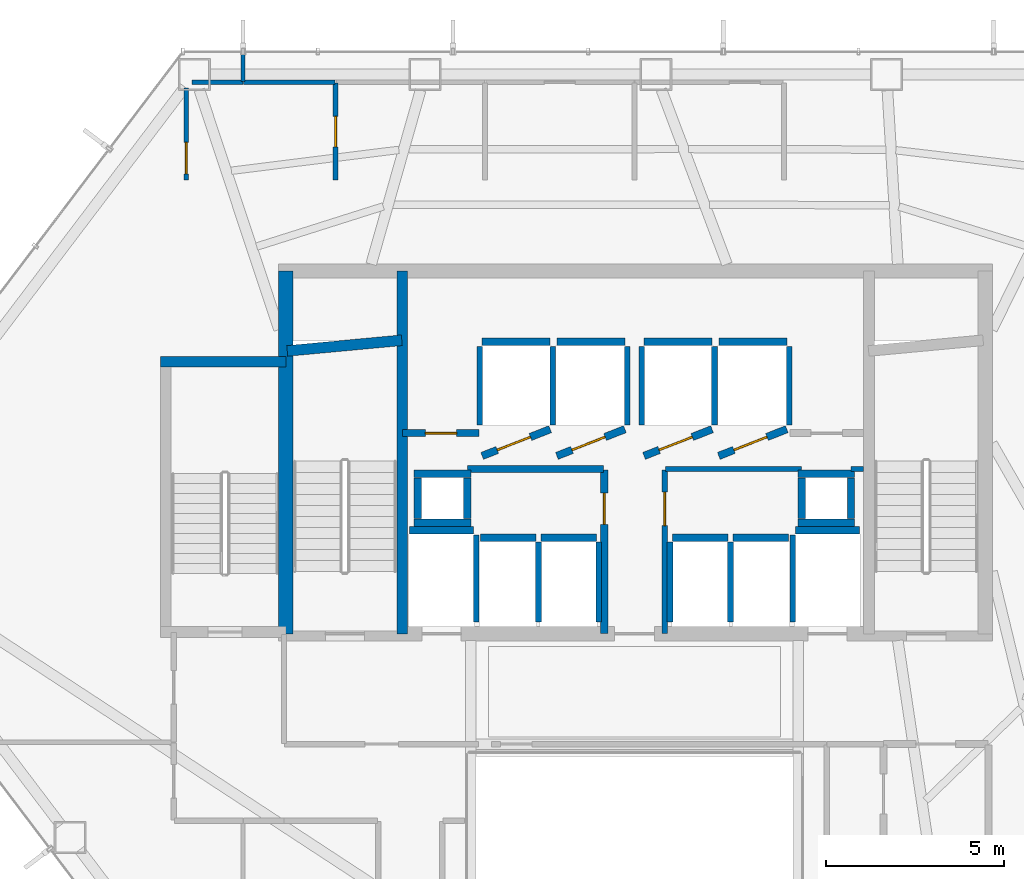
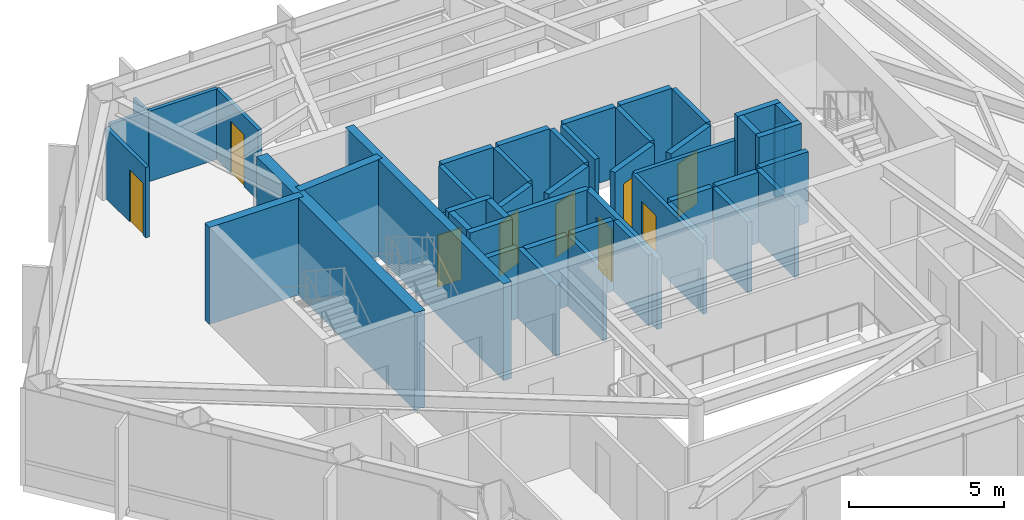
# One storey, part 23 of 25: 49 walls, 9 doors, 9 openings.
"""IFC4 building model written with IfcOpenShell, lengths in metres."""

from ifc_helpers import new_model, si_unit, direction, frame, frame_2d, origin, place, context, subcontext, project, spatial, rectangle, extrude, material, layer, layer_set, type_object, element, fill, save


model = new_model("IFC4")

# Units and contexts
model_context = context("Model", 3, precision=1e-05, world=origin(), true_north=direction((0.0, 1.0)))
body_context = subcontext(model_context, "Body", "Model", "MODEL_VIEW")
ifc_project = project(units=[si_unit("LENGTHUNIT", "METRE"), si_unit("AREAUNIT", "SQUARE_METRE"), si_unit("VOLUMEUNIT", "CUBIC_METRE"), si_unit("PLANEANGLEUNIT", "RADIAN"), si_unit("MASSUNIT", "GRAM", prefix="KILO")], contexts=[model_context])

# Site, building, storey
site_placement = place(None, origin())
site = spatial("IfcSite", under=ifc_project, at=site_placement, CompositionType="ELEMENT")
building_placement = place(site_placement, origin())
building = spatial("IfcBuilding", under=site, at=building_placement, Name="Zarrinselat Tower", CompositionType="ELEMENT")
storey_placement = place(building_placement, frame((0.0, 0.0, 84.659912109375)))
storey = spatial("IfcBuildingStorey", under=building, at=storey_placement, Name="L20", CompositionType="ELEMENT", Elevation=84.659912109375)

# Walls
ifc_material_1 = material(Name="Fire-Rated Gypsum Board Partition", Category="gypsum")
ifc_layer_1 = layer(ifc_material_1, 0.14990234375)
ifc_layer_set_1 = layer_set([ifc_layer_1], Name="Fire-Rated Gypsum Board Partition")
wall_type_1 = type_object("IfcWallType", Name="WAL-PART-EI60", PredefinedType="PARTITIONING", material=ifc_layer_set_1)
wall_1_placement = place(storey_placement, frame((39.27001953125, 37.8798828125, 0.0), z_axis=(0.0, 0.0, 1.0), x_axis=(1.0, 0.0, 0.0)))
element("IfcWall", 1, at=wall_1_placement, inside=storey, type_object=wall_type_1, Name="L20 Partition Wall 5", PredefinedType="PARTITIONING", context=body_context, shape_type="SweptSolid", body=[
    extrude(rectangle(XDim=3.824951171875, YDim=0.14990234375, at=frame_2d((1.91259765625, 0.0))), origin(), (0.0, 0.0, 1.0), 2.777099609375),
])
wall_2_placement = place(storey_placement, frame((44.485107421875, 37.8798828125, 0.0), z_axis=(0.0, 0.0, 1.0), x_axis=(1.0, 0.0, 0.0)))
element("IfcWall", 2, at=wall_2_placement, inside=storey, type_object=wall_type_1, Name="L20 Partition Wall 6", PredefinedType="PARTITIONING", context=body_context, shape_type="SweptSolid", body=[
    extrude(rectangle(XDim=0.349853515625, YDim=0.14990234375, at=frame_2d((0.1748046875, 0.0))), origin(), (0.0, 0.0, 1.0), 2.777099609375),
])

# Wall, opening, door
wall_3_placement = place(storey_placement, frame((39.25, 33.264892578125, 0.0), z_axis=(0.0, 0.0, 1.0), x_axis=(0.0, 1.0, 0.0)))
wall_3 = element("IfcWall", 3, at=wall_3_placement, inside=storey, type_object=wall_type_1, Name="L20 Partition Wall 7", PredefinedType="PARTITIONING", context=body_context, shape_type="SweptSolid", body=[
    extrude(rectangle(XDim=4.59521484375, YDim=0.14990234375, at=frame_2d((2.297607421875, 0.0))), origin(), (0.0, 0.0, 1.0), 2.777099609375),
])
opening_1_placement = place(wall_3_placement, frame((3.027587890625, 0.0, 0.0)))
opening_1 = element("IfcOpeningElement", 4, at=opening_1_placement, cuts=wall_3, Name="Opening ID-04", PredefinedType="OPENING", context=body_context, shape_type="SweptSolid", body=[
    extrude(rectangle(XDim=0.93994140625, YDim=2.050048828125, at=frame_2d((0.469970703125, 1.02490234375))), frame((0.0, 0.0849609375, 0.0), z_axis=(0.0, -1.0, 0.0), x_axis=(1.0, 0.0, 0.0)), (0.0, 0.0, 1.0), 0.169921875),
])
ifc_material_2 = material(Name="Fire-Rated Gypsum Board Partition")
door_type_1 = type_object("IfcDoorType", Name="DR-INT-FD30-ENT", OperationType="NOTDEFINED", PredefinedType="DOOR", material=ifc_material_2)
door_1_placement = place(opening_1_placement, origin())
door_1 = element("IfcDoor", 5, at=door_1_placement, inside=storey, type_object=door_type_1, Name="L20 Interior Door P7", OperationType="SINGLE_SWING_LEFT", OverallHeight=2.050048828125, OverallWidth=0.93994140625, PredefinedType="DOOR", context=body_context, shape_type="SweptSolid", body=[
    extrude(rectangle(XDim=0.93994140625, YDim=2.050048828125, at=frame_2d((0.469970703125, 1.02490234375))), frame((0.0, 0.02490234375, 0.0), z_axis=(0.0, -1.0, 0.0), x_axis=(1.0, 0.0, 0.0)), (0.0, 0.0, 1.0), 0.050048828125),
])
fill(opening_1, door_1)

ifc_material_3 = material(Name="Concrete C40/50", Category="concrete")
ifc_layer_2 = layer(ifc_material_3, 0.199951171875)
ifc_layer_set_2 = layer_set([ifc_layer_2], Name="Concrete C40/50")
wall_type_2 = type_object("IfcWallType", Name="WAL-PART-PLANT", PredefinedType="PARTITIONING", material=ifc_layer_set_2)
wall_4_placement = place(storey_placement, frame((37.550048828125, 33.264892578125, 0.0), z_axis=(0.0, 0.0, 1.0), x_axis=(0.0, 1.0, 0.0)))
wall_4 = element("IfcWall", 6, at=wall_4_placement, inside=storey, type_object=wall_type_2, Name="L20 Partition Wall 1", PredefinedType="PARTITIONING", context=body_context, shape_type="SweptSolid", body=[
    extrude(rectangle(XDim=4.59521484375, YDim=0.199951171875, at=frame_2d((2.297607421875, 0.0))), origin(), (0.0, 0.0, 1.0), 2.777099609375),
])
opening_2_placement = place(wall_4_placement, frame((3.0576171875, 0.0, 0.0)))
opening_2 = element("IfcOpeningElement", 7, at=opening_2_placement, cuts=wall_4, Name="Opening ID-03", PredefinedType="OPENING", context=body_context, shape_type="SweptSolid", body=[
    extrude(rectangle(XDim=0.8798828125, YDim=2.050048828125, at=frame_2d((0.43994140625, 1.02490234375))), frame((0.0, 0.10986328125, 0.0), z_axis=(0.0, -1.0, 0.0), x_axis=(1.0, 0.0, 0.0)), (0.0, 0.0, 1.0), 0.219970703125),
])
ifc_material_4 = material(Name="Steel S355J2", Category="steel")
door_type_2 = type_object("IfcDoorType", Name="DR-INT-FD60-S", OperationType="NOTDEFINED", PredefinedType="DOOR", material=ifc_material_4)
door_2_placement = place(opening_2_placement, origin())
door_2 = element("IfcDoor", 8, at=door_2_placement, inside=storey, type_object=door_type_2, Name="L20 Interior Door P1", OperationType="SINGLE_SWING_RIGHT", OverallHeight=2.050048828125, OverallWidth=0.8798828125, PredefinedType="DOOR", context=body_context, shape_type="SweptSolid", body=[
    extrude(rectangle(XDim=0.8798828125, YDim=2.050048828125, at=frame_2d((0.43994140625, 1.02490234375))), frame((0.0, 0.02490234375, 0.0), z_axis=(0.0, -1.0, 0.0), x_axis=(1.0, 0.0, 0.0)), (0.0, 0.0, 1.0), 0.050048828125),
])
fill(opening_2, door_2)

# Wall
wall_5_placement = place(storey_placement, frame((33.705078125, 37.8798828125, 0.0), z_axis=(0.0, 0.0, 1.0), x_axis=(1.0, 0.0, 0.0)))
element("IfcWall", 9, at=wall_5_placement, inside=storey, type_object=wall_type_2, Name="L20 Partition Wall 2", PredefinedType="PARTITIONING", context=body_context, shape_type="SweptSolid", body=[
    extrude(rectangle(XDim=3.824951171875, YDim=0.199951171875, at=frame_2d((1.91259765625, 0.0))), origin(), (0.0, 0.0, 1.0), 2.777099609375),
])

# Wall, opening, door
wall_6_placement = place(storey_placement, frame((31.885009765625, 38.889892578125, 0.0), z_axis=(0.0, 0.0, 1.0), x_axis=(1.0, 0.0, 0.0)))
wall_6 = element("IfcWall", 10, at=wall_6_placement, inside=storey, type_object=wall_type_2, Name="L20 Partition Wall 3", PredefinedType="PARTITIONING", context=body_context, shape_type="SweptSolid", body=[
    extrude(rectangle(XDim=2.14990234375, YDim=0.199951171875, at=frame_2d((1.074951171875, 0.0))), origin(), (0.0, 0.0, 1.0), 2.777099609375),
])
opening_3_placement = place(wall_6_placement, frame((0.635009765625, 0.0, 0.0)))
opening_3 = element("IfcOpeningElement", 11, at=opening_3_placement, cuts=wall_6, Name="Opening ID-03", PredefinedType="OPENING", context=body_context, shape_type="SweptSolid", body=[
    extrude(rectangle(XDim=0.8798828125, YDim=2.050048828125, at=frame_2d((0.43994140625, 1.02490234375))), frame((0.0, 0.10986328125, 0.0), z_axis=(0.0, -1.0, 0.0), x_axis=(1.0, 0.0, 0.0)), (0.0, 0.0, 1.0), 0.219970703125),
])
door_3_placement = place(opening_3_placement, origin())
door_3 = element("IfcDoor", 12, at=door_3_placement, inside=storey, type_object=door_type_2, Name="L20 Interior Door P3", OperationType="SINGLE_SWING_LEFT", OverallHeight=2.050048828125, OverallWidth=0.8798828125, PredefinedType="DOOR", context=body_context, shape_type="SweptSolid", body=[
    extrude(rectangle(XDim=0.8798828125, YDim=2.050048828125, at=frame_2d((0.43994140625, 1.02490234375))), frame((0.0, 0.02490234375, 0.0), z_axis=(0.0, -1.0, 0.0), x_axis=(1.0, 0.0, 0.0)), (0.0, 0.0, 1.0), 0.050048828125),
])
fill(opening_3, door_3)

# Wall
ifc_material_5 = material(Name="Fire-Rated Gypsum Board Partition", Category="gypsum")
ifc_layer_3 = layer(ifc_material_5, 0.1201171875)
ifc_layer_set_3 = layer_set([ifc_layer_3], Name="Fire-Rated Gypsum Board Partition")
wall_type_3 = type_object("IfcWallType", Name="WAL-PART-STD", PredefinedType="PARTITIONING", material=ifc_layer_set_3)
wall_7_placement = place(storey_placement, frame((27.39990234375, 48.77001953125, 0.0), z_axis=(0.0, 0.0, 1.0), x_axis=(0.0, 1.0, 0.0)))
element("IfcWall", 13, at=wall_7_placement, inside=storey, type_object=wall_type_3, Name="L20 Partition Wall 47", PredefinedType="PARTITIONING", context=body_context, shape_type="SweptSolid", body=[
    extrude(rectangle(XDim=0.831787109375, YDim=0.1201171875, at=frame_2d((0.416015625, 0.0))), origin(), (0.0, 0.0, 1.0), 2.777099609375),
])

# Wall, opening, door
ifc_material_6 = material(Name="Fire-Rated Gypsum Board Partition", Category="gypsum")
ifc_layer_4 = layer(ifc_material_6, 0.135009765625)
ifc_layer_set_4 = layer_set([ifc_layer_4], Name="Fire-Rated Gypsum Board Partition")
wall_type_4 = type_object("IfcWallType", Name="WAL-PART-WET", PredefinedType="PARTITIONING", material=ifc_layer_set_4)
wall_8_placement = place(storey_placement, frame((30.0, 46.0, 0.0), z_axis=(0.0, 0.0, 1.0), x_axis=(0.0, 1.0, 0.0)))
wall_8 = element("IfcWall", 14, at=wall_8_placement, inside=storey, type_object=wall_type_4, Name="L20 Partition Wall 34", PredefinedType="PARTITIONING", context=body_context, shape_type="SweptSolid", body=[
    extrude(rectangle(XDim=2.72998046875, YDim=0.135009765625, at=frame_2d((1.364990234375, 0.0))), origin(), (0.0, 0.0, 1.0), 2.777099609375),
])
opening_4_placement = place(wall_8_placement, frame((0.93505859375, 0.0, 0.0)))
opening_4 = element("IfcOpeningElement", 15, at=opening_4_placement, cuts=wall_8, Name="Opening ID-06", PredefinedType="OPENING", context=body_context, shape_type="SweptSolid", body=[
    extrude(rectangle(XDim=0.860107421875, YDim=2.050048828125, at=frame_2d((0.43017578125, 1.02490234375))), frame((0.0, 0.077392578125, 0.0), z_axis=(0.0, -1.0, 0.0), x_axis=(1.0, 0.0, 0.0)), (0.0, 0.0, 1.0), 0.155029296875),
])
ifc_material_7 = material(Name="Extruded Aluminium Alloy EN AW-6063 T6", Category="aluminium")
door_type_3 = type_object("IfcDoorType", Name="DR-INT-WET-900", OperationType="NOTDEFINED", PredefinedType="DOOR", material=ifc_material_7)
door_4_placement = place(opening_4_placement, origin())
door_4 = element("IfcDoor", 16, at=door_4_placement, inside=storey, type_object=door_type_3, Name="L20 Interior Door P34", OperationType="SINGLE_SWING_RIGHT", OverallHeight=2.050048828125, OverallWidth=0.860107421875, PredefinedType="DOOR", context=body_context, shape_type="SweptSolid", body=[
    extrude(rectangle(XDim=0.860107421875, YDim=2.050048828125, at=frame_2d((0.43017578125, 1.02490234375))), frame((0.0, 0.02490234375, 0.0), z_axis=(0.0, -1.0, 0.0), x_axis=(1.0, 0.0, 0.0)), (0.0, 0.0, 1.0), 0.050048828125),
])
fill(opening_4, door_4)

# Wall
wall_9_placement = place(storey_placement, frame((27.405029296875, 48.75, 0.0), z_axis=(0.0, 0.0, 1.0), x_axis=(1.0, 0.0, 0.0)))
element("IfcWall", 17, at=wall_9_placement, inside=storey, type_object=wall_type_4, Name="L20 Partition Wall 35", PredefinedType="PARTITIONING", context=body_context, shape_type="SweptSolid", body=[
    extrude(rectangle(XDim=2.574951171875, YDim=0.135009765625, at=frame_2d((1.28759765625, 0.0))), origin(), (0.0, 0.0, 1.0), 2.777099609375),
])

# Wall, opening, door
wall_10_placement = place(storey_placement, frame((25.800048828125, 46.0, 0.0), z_axis=(0.0, 0.0, 1.0), x_axis=(0.0, 1.0, 0.0)))
wall_10 = element("IfcWall", 18, at=wall_10_placement, inside=storey, type_object=wall_type_4, Name="L20 Partition Wall 36", PredefinedType="PARTITIONING", context=body_context, shape_type="SweptSolid", body=[
    extrude(rectangle(XDim=2.584228515625, YDim=0.135009765625, at=frame_2d((1.2919921875, 0.0))), origin(), (0.0, 0.0, 1.0), 2.777099609375),
])
opening_5_placement = place(wall_10_placement, frame((0.179931640625, 0.0, 0.0)))
opening_5 = element("IfcOpeningElement", 19, at=opening_5_placement, cuts=wall_10, Name="Opening ID-03", PredefinedType="OPENING", context=body_context, shape_type="SweptSolid", body=[
    extrude(rectangle(XDim=0.8798828125, YDim=2.050048828125, at=frame_2d((0.43994140625, 1.02490234375))), frame((0.0, 0.077392578125, 0.0), z_axis=(0.0, -1.0, 0.0), x_axis=(1.0, 0.0, 0.0)), (0.0, 0.0, 1.0), 0.155029296875),
])
door_5_placement = place(opening_5_placement, origin())
door_5 = element("IfcDoor", 20, at=door_5_placement, inside=storey, type_object=door_type_2, Name="L20 Interior Door P36", OperationType="SINGLE_SWING_LEFT", OverallHeight=2.050048828125, OverallWidth=0.8798828125, PredefinedType="DOOR", context=body_context, shape_type="SweptSolid", body=[
    extrude(rectangle(XDim=0.8798828125, YDim=2.050048828125, at=frame_2d((0.43994140625, 1.02490234375))), frame((0.0, 0.02490234375, 0.0), z_axis=(0.0, -1.0, 0.0), x_axis=(1.0, 0.0, 0.0)), (0.0, 0.0, 1.0), 0.050048828125),
])
fill(opening_5, door_5)

# Walls
wall_11_placement = place(storey_placement, frame((25.9658203125, 48.75, 0.0), z_axis=(0.0, 0.0, 1.0), x_axis=(1.0, 0.0, 0.0)))
element("IfcWall", 21, at=wall_11_placement, inside=storey, type_object=wall_type_4, Name="L20 Partition Wall 37", PredefinedType="PARTITIONING", context=body_context, shape_type="SweptSolid", body=[
    extrude(rectangle(XDim=1.42919921875, YDim=0.135009765625, at=frame_2d((0.714599609375, 0.0))), origin(), (0.0, 0.0, 1.0), 2.777099609375),
])
ifc_material_8 = material(Name="Concrete C40/50", Category="concrete")
ifc_layer_5 = layer(ifc_material_8, 0.2099609375)
ifc_layer_set_5 = layer_set([ifc_layer_5], Name="Concrete C40/50")
wall_type_5 = type_object("IfcWallType", Name="WAL-SHAFT-210", PredefinedType="SOLIDWALL", material=ifc_layer_set_5)
wall_12_placement = place(storey_placement, frame((32.080078125, 36.155029296875, 0.0), z_axis=(0.0, 0.0, 1.0), x_axis=(1.0, 0.0, 0.0)))
element("IfcWall", 22, at=wall_12_placement, inside=storey, type_object=wall_type_5, Name="L20 Lift FFL1 North Shaft Wall", PredefinedType="SOLIDWALL", context=body_context, shape_type="SweptSolid", body=[
    extrude(rectangle(XDim=1.7998046875, YDim=0.2099609375, at=frame_2d((0.89990234375, 0.0))), origin(), (0.0, 0.0, 1.0), 2.7919921875),
])
wall_13_placement = place(storey_placement, frame((33.949951171875, 33.580078125, 0.0), z_axis=(0.0, 0.0, 1.0), x_axis=(0.0, 1.0, 0.0)))
element("IfcWall", 23, at=wall_13_placement, inside=storey, type_object=wall_type_5, Name="L20 Lift FFL1 E Shaft Wall", PredefinedType="SOLIDWALL", context=body_context, shape_type="SweptSolid", body=[
    extrude(rectangle(XDim=2.449951171875, YDim=0.159912109375, at=frame_2d((1.22509765625, 0.0))), origin(), (0.0, 0.0, 1.0), 2.7919921875),
])
wall_14_placement = place(storey_placement, frame((42.919921875, 36.155029296875, 0.0), z_axis=(0.0, 0.0, 1.0), x_axis=(1.0, 0.0, 0.0)))
element("IfcWall", 24, at=wall_14_placement, inside=storey, type_object=wall_type_5, Name="L20 Lift FFL2 North Shaft Wall", PredefinedType="SOLIDWALL", context=body_context, shape_type="SweptSolid", body=[
    extrude(rectangle(XDim=1.800048828125, YDim=0.2099609375, at=frame_2d((0.89990234375, 0.0))), origin(), (0.0, 0.0, 1.0), 2.7919921875),
])
wall_15_placement = place(storey_placement, frame((42.85009765625, 33.580078125, 0.0), z_axis=(0.0, 0.0, 1.0), x_axis=(0.0, 1.0, 0.0)))
element("IfcWall", 25, at=wall_15_placement, inside=storey, type_object=wall_type_5, Name="L20 Lift FFL2 W Shaft Wall", PredefinedType="SOLIDWALL", context=body_context, shape_type="SweptSolid", body=[
    extrude(rectangle(XDim=2.449951171875, YDim=0.159912109375, at=frame_2d((1.22509765625, 0.0))), origin(), (0.0, 0.0, 1.0), 2.7919921875),
])

# Wall, opening, door
wall_16_placement = place(storey_placement, frame((34.1201171875, 38.25, 0.0), z_axis=(0.0, 0.0, 1.0), x_axis=(0.930804993012, 0.36551616241, 0.0)))
wall_16 = element("IfcWall", 26, at=wall_16_placement, inside=storey, type_object=wall_type_5, Name="L20 Lift PL1 Front Shaft Wall", PredefinedType="SOLIDWALL", context=body_context, shape_type="SweptSolid", body=[
    extrude(rectangle(XDim=2.052001953125, YDim=0.2099609375, at=frame_2d((1.02587890625, 0.0))), origin(), (0.0, 0.0, 1.0), 2.7919921875),
])
opening_6_placement = place(wall_16_placement, frame((0.455078125, 0.0, 0.0)))
opening_6 = element("IfcOpeningElement", 27, at=opening_6_placement, cuts=wall_16, Name="Opening LD-PL1", PredefinedType="OPENING", context=body_context, shape_type="SweptSolid", body=[
    extrude(rectangle(XDim=1.0, YDim=2.10009765625, at=frame_2d((0.5, 1.050048828125))), frame((0.0, 0.114990234375, 0.0), z_axis=(0.0, -1.0, 0.0), x_axis=(1.0, 0.0, 0.0)), (0.0, 0.0, 1.0), 0.22998046875),
])
ifc_material_9 = material(Name="Steel S355J2", Category="steel")
door_type_4 = type_object("IfcDoorType", Name="DR-LIFT-PS-1000", OperationType="NOTDEFINED", PredefinedType="DOOR", material=ifc_material_9)
door_6_placement = place(opening_6_placement, origin())
door_6 = element("IfcDoor", 28, at=door_6_placement, inside=storey, type_object=door_type_4, Name="L20 Lift PL1 Sliding Landing Door", OperationType="SLIDING_TO_LEFT", OverallHeight=2.10009765625, OverallWidth=1.0, PredefinedType="DOOR", context=body_context, shape_type="SweptSolid", body=[
    extrude(rectangle(XDim=1.0, YDim=2.10009765625, at=frame_2d((0.5, 1.050048828125))), frame((0.0, 0.02490234375, 0.0), z_axis=(0.0, -1.0, 0.0), x_axis=(1.0, 0.0, 0.0)), (0.0, 0.0, 1.0), 0.050048828125),
])
fill(opening_6, door_6)

# Walls
wall_17_placement = place(storey_placement, frame((34.1201171875, 41.455078125, 0.0), z_axis=(0.0, 0.0, 1.0), x_axis=(1.0, 0.0, 0.0)))
element("IfcWall", 29, at=wall_17_placement, inside=storey, type_object=wall_type_5, Name="L20 Lift PL1 Rear Shaft Wall", PredefinedType="SOLIDWALL", context=body_context, shape_type="SweptSolid", body=[
    extrude(rectangle(XDim=1.909912109375, YDim=0.2099609375, at=frame_2d((0.955078125, 0.0))), origin(), (0.0, 0.0, 1.0), 2.7919921875),
])
for number, where, z_axis, x_axis, name in (
    (30, (34.050048828125, 39.1201171875, 0.0), (0.0, 0.0, 1.0), (0.0, 1.0, 0.0), "L20 Lift PL1 W Shaft Wall"),
    (31, (36.10009765625, 39.1201171875, 0.0), (0.0, 0.0, 1.0), (0.0, 1.0, 0.0), "L20 Lift PL1 E Shaft Wall"),
):
    element("IfcWall", number, at=place(storey_placement, frame(where, z_axis=z_axis, x_axis=x_axis)), inside=storey, type_object=wall_type_5, Name=name, PredefinedType="SOLIDWALL", context=body_context, shape_type="SweptSolid", body=[
        extrude(rectangle(XDim=2.2099609375, YDim=0.159912109375, at=frame_2d((1.10498046875, 0.0))), origin(), (0.0, 0.0, 1.0), 2.7919921875),
    ])

# Wall, opening, door
wall_18_placement = place(storey_placement, frame((36.219970703125, 38.25, 0.0), z_axis=(0.0, 0.0, 1.0), x_axis=(0.930804993012, 0.36551616241, 0.0)))
wall_18 = element("IfcWall", 32, at=wall_18_placement, inside=storey, type_object=wall_type_5, Name="L20 Lift PL2 Front Shaft Wall", PredefinedType="SOLIDWALL", context=body_context, shape_type="SweptSolid", body=[
    extrude(rectangle(XDim=2.052001953125, YDim=0.2099609375, at=frame_2d((1.02587890625, 0.0))), origin(), (0.0, 0.0, 1.0), 2.7919921875),
])
opening_7_placement = place(wall_18_placement, frame((0.455078125, 0.0, 0.0)))
opening_7 = element("IfcOpeningElement", 33, at=opening_7_placement, cuts=wall_18, Name="Opening LD-PL2", PredefinedType="OPENING", context=body_context, shape_type="SweptSolid", body=[
    extrude(rectangle(XDim=1.0, YDim=2.10009765625, at=frame_2d((0.5, 1.050048828125))), frame((0.0, 0.114990234375, 0.0), z_axis=(0.0, -1.0, 0.0), x_axis=(1.0, 0.0, 0.0)), (0.0, 0.0, 1.0), 0.22998046875),
])
door_7_placement = place(opening_7_placement, origin())
door_7 = element("IfcDoor", 34, at=door_7_placement, inside=storey, type_object=door_type_4, Name="L20 Lift PL2 Sliding Landing Door", OperationType="SLIDING_TO_RIGHT", OverallHeight=2.10009765625, OverallWidth=1.0, PredefinedType="DOOR", context=body_context, shape_type="SweptSolid", body=[
    extrude(rectangle(XDim=1.0, YDim=2.10009765625, at=frame_2d((0.5, 1.050048828125))), frame((0.0, 0.02490234375, 0.0), z_axis=(0.0, -1.0, 0.0), x_axis=(1.0, 0.0, 0.0)), (0.0, 0.0, 1.0), 0.050048828125),
])
fill(opening_7, door_7)

# Walls
wall_19_placement = place(storey_placement, frame((36.219970703125, 41.455078125, 0.0), z_axis=(0.0, 0.0, 1.0), x_axis=(1.0, 0.0, 0.0)))
element("IfcWall", 35, at=wall_19_placement, inside=storey, type_object=wall_type_5, Name="L20 Lift PL2 Rear Shaft Wall", PredefinedType="SOLIDWALL", context=body_context, shape_type="SweptSolid", body=[
    extrude(rectangle(XDim=1.909912109375, YDim=0.2099609375, at=frame_2d((0.955078125, 0.0))), origin(), (0.0, 0.0, 1.0), 2.7919921875),
])
wall_20_placement = place(storey_placement, frame((38.199951171875, 39.1201171875, 0.0), z_axis=(0.0, 0.0, 1.0), x_axis=(0.0, 1.0, 0.0)))
element("IfcWall", 36, at=wall_20_placement, inside=storey, type_object=wall_type_5, Name="L20 Lift PL2 E Shaft Wall", PredefinedType="SOLIDWALL", context=body_context, shape_type="SweptSolid", body=[
    extrude(rectangle(XDim=2.2099609375, YDim=0.159912109375, at=frame_2d((1.10498046875, 0.0))), origin(), (0.0, 0.0, 1.0), 2.7919921875),
])

# Wall, opening, door
wall_21_placement = place(storey_placement, frame((38.669921875, 38.25, 0.0), z_axis=(0.0, 0.0, 1.0), x_axis=(0.930820886763, 0.3654756856, 0.0)))
wall_21 = element("IfcWall", 37, at=wall_21_placement, inside=storey, type_object=wall_type_5, Name="L20 Lift PL3 Front Shaft Wall", PredefinedType="SOLIDWALL", context=body_context, shape_type="SweptSolid", body=[
    extrude(rectangle(XDim=2.052001953125, YDim=0.2099609375, at=frame_2d((1.02587890625, 0.0))), origin(), (0.0, 0.0, 1.0), 2.7919921875),
])
opening_8_placement = place(wall_21_placement, frame((0.455078125, 0.0, 0.0)))
opening_8 = element("IfcOpeningElement", 38, at=opening_8_placement, cuts=wall_21, Name="Opening LD-PL3", PredefinedType="OPENING", context=body_context, shape_type="SweptSolid", body=[
    extrude(rectangle(XDim=1.0, YDim=2.10009765625, at=frame_2d((0.5, 1.050048828125))), frame((0.0, 0.114990234375, 0.0), z_axis=(0.0, -1.0, 0.0), x_axis=(1.0, 0.0, 0.0)), (0.0, 0.0, 1.0), 0.22998046875),
])
door_8_placement = place(opening_8_placement, origin())
door_8 = element("IfcDoor", 39, at=door_8_placement, inside=storey, type_object=door_type_4, Name="L20 Lift PL3 Sliding Landing Door", OperationType="SLIDING_TO_LEFT", OverallHeight=2.10009765625, OverallWidth=1.0, PredefinedType="DOOR", context=body_context, shape_type="SweptSolid", body=[
    extrude(rectangle(XDim=1.0, YDim=2.10009765625, at=frame_2d((0.5, 1.050048828125))), frame((0.0, 0.02490234375, 0.0), z_axis=(0.0, -1.0, 0.0), x_axis=(1.0, 0.0, 0.0)), (0.0, 0.0, 1.0), 0.050048828125),
])
fill(opening_8, door_8)

# Walls
wall_22_placement = place(storey_placement, frame((38.669921875, 41.455078125, 0.0), z_axis=(0.0, 0.0, 1.0), x_axis=(1.0, 0.0, 0.0)))
element("IfcWall", 40, at=wall_22_placement, inside=storey, type_object=wall_type_5, Name="L20 Lift PL3 Rear Shaft Wall", PredefinedType="SOLIDWALL", context=body_context, shape_type="SweptSolid", body=[
    extrude(rectangle(XDim=1.91015625, YDim=0.2099609375, at=frame_2d((0.955078125, 0.0))), origin(), (0.0, 0.0, 1.0), 2.7919921875),
])
for number, where, z_axis, x_axis, name in (
    (41, (38.60009765625, 39.1201171875, 0.0), (0.0, 0.0, 1.0), (0.0, 1.0, 0.0), "L20 Lift PL3 W Shaft Wall"),
    (42, (40.64990234375, 39.1201171875, 0.0), (0.0, 0.0, 1.0), (0.0, 1.0, 0.0), "L20 Lift PL3 E Shaft Wall"),
):
    element("IfcWall", number, at=place(storey_placement, frame(where, z_axis=z_axis, x_axis=x_axis)), inside=storey, type_object=wall_type_5, Name=name, PredefinedType="SOLIDWALL", context=body_context, shape_type="SweptSolid", body=[
        extrude(rectangle(XDim=2.2099609375, YDim=0.159912109375, at=frame_2d((1.10498046875, 0.0))), origin(), (0.0, 0.0, 1.0), 2.7919921875),
    ])

# Wall, opening, door
wall_23_placement = place(storey_placement, frame((40.77001953125, 38.25, 0.0), z_axis=(0.0, 0.0, 1.0), x_axis=(0.930804993012, 0.36551616241, 0.0)))
wall_23 = element("IfcWall", 43, at=wall_23_placement, inside=storey, type_object=wall_type_5, Name="L20 Lift PL4 Front Shaft Wall", PredefinedType="SOLIDWALL", context=body_context, shape_type="SweptSolid", body=[
    extrude(rectangle(XDim=2.052001953125, YDim=0.2099609375, at=frame_2d((1.02587890625, 0.0))), origin(), (0.0, 0.0, 1.0), 2.7919921875),
])
opening_9_placement = place(wall_23_placement, frame((0.455078125, 0.0, 0.0)))
opening_9 = element("IfcOpeningElement", 44, at=opening_9_placement, cuts=wall_23, Name="Opening LD-PL4", PredefinedType="OPENING", context=body_context, shape_type="SweptSolid", body=[
    extrude(rectangle(XDim=1.0, YDim=2.10009765625, at=frame_2d((0.5, 1.050048828125))), frame((0.0, 0.114990234375, 0.0), z_axis=(0.0, -1.0, 0.0), x_axis=(1.0, 0.0, 0.0)), (0.0, 0.0, 1.0), 0.22998046875),
])
door_9_placement = place(opening_9_placement, origin())
door_9 = element("IfcDoor", 45, at=door_9_placement, inside=storey, type_object=door_type_4, Name="L20 Lift PL4 Sliding Landing Door", OperationType="SLIDING_TO_RIGHT", OverallHeight=2.10009765625, OverallWidth=1.0, PredefinedType="DOOR", context=body_context, shape_type="SweptSolid", body=[
    extrude(rectangle(XDim=1.0, YDim=2.10009765625, at=frame_2d((0.5, 1.050048828125))), frame((0.0, 0.02490234375, 0.0), z_axis=(0.0, -1.0, 0.0), x_axis=(1.0, 0.0, 0.0)), (0.0, 0.0, 1.0), 0.050048828125),
])
fill(opening_9, door_9)

# Walls
wall_24_placement = place(storey_placement, frame((40.77001953125, 41.455078125, 0.0), z_axis=(0.0, 0.0, 1.0), x_axis=(1.0, 0.0, 0.0)))
element("IfcWall", 46, at=wall_24_placement, inside=storey, type_object=wall_type_5, Name="L20 Lift PL4 Rear Shaft Wall", PredefinedType="SOLIDWALL", context=body_context, shape_type="SweptSolid", body=[
    extrude(rectangle(XDim=1.909912109375, YDim=0.2099609375, at=frame_2d((0.955078125, 0.0))), origin(), (0.0, 0.0, 1.0), 2.7919921875),
])
wall_25_placement = place(storey_placement, frame((42.75, 39.1201171875, 0.0), z_axis=(0.0, 0.0, 1.0), x_axis=(0.0, 1.0, 0.0)))
element("IfcWall", 47, at=wall_25_placement, inside=storey, type_object=wall_type_5, Name="L20 Lift PL4 E Shaft Wall", PredefinedType="SOLIDWALL", context=body_context, shape_type="SweptSolid", body=[
    extrude(rectangle(XDim=2.2099609375, YDim=0.159912109375, at=frame_2d((1.10498046875, 0.0))), origin(), (0.0, 0.0, 1.0), 2.7919921875),
])
wall_26_placement = place(storey_placement, frame((34.070068359375, 35.955078125, 0.0), z_axis=(0.0, 0.0, 1.0), x_axis=(1.0, 0.0, 0.0)))
element("IfcWall", 48, at=wall_26_placement, inside=storey, type_object=wall_type_5, Name="L20 Lift PL5 North Shaft Wall", PredefinedType="SOLIDWALL", context=body_context, shape_type="SweptSolid", body=[
    extrude(rectangle(XDim=1.559814453125, YDim=0.2099609375, at=frame_2d((0.77978515625, 0.0))), origin(), (0.0, 0.0, 1.0), 2.7919921875),
])
wall_27_placement = place(storey_placement, frame((35.699951171875, 33.580078125, 0.0), z_axis=(0.0, 0.0, 1.0), x_axis=(0.0, 1.0, 0.0)))
element("IfcWall", 49, at=wall_27_placement, inside=storey, type_object=wall_type_5, Name="L20 Lift PL5 E Shaft Wall", PredefinedType="SOLIDWALL", context=body_context, shape_type="SweptSolid", body=[
    extrude(rectangle(XDim=2.25, YDim=0.159912109375, at=frame_2d((1.125, 0.0))), origin(), (0.0, 0.0, 1.0), 2.7919921875),
])
wall_28_placement = place(storey_placement, frame((35.77001953125, 35.955078125, 0.0), z_axis=(0.0, 0.0, 1.0), x_axis=(1.0, 0.0, 0.0)))
element("IfcWall", 50, at=wall_28_placement, inside=storey, type_object=wall_type_5, Name="L20 Lift PL6 North Shaft Wall", PredefinedType="SOLIDWALL", context=body_context, shape_type="SweptSolid", body=[
    extrude(rectangle(XDim=1.56005859375, YDim=0.2099609375, at=frame_2d((0.780029296875, 0.0))), origin(), (0.0, 0.0, 1.0), 2.7919921875),
])
wall_29_placement = place(storey_placement, frame((37.39990234375, 33.580078125, 0.0), z_axis=(0.0, 0.0, 1.0), x_axis=(0.0, 1.0, 0.0)))
element("IfcWall", 51, at=wall_29_placement, inside=storey, type_object=wall_type_5, Name="L20 Lift PL6 E Shaft Wall", PredefinedType="SOLIDWALL", context=body_context, shape_type="SweptSolid", body=[
    extrude(rectangle(XDim=2.25, YDim=0.159912109375, at=frame_2d((1.125, 0.0))), origin(), (0.0, 0.0, 1.0), 2.7919921875),
])
wall_30_placement = place(storey_placement, frame((39.469970703125, 35.955078125, 0.0), z_axis=(0.0, 0.0, 1.0), x_axis=(1.0, 0.0, 0.0)))
element("IfcWall", 52, at=wall_30_placement, inside=storey, type_object=wall_type_5, Name="L20 Lift PL8 North Shaft Wall", PredefinedType="SOLIDWALL", context=body_context, shape_type="SweptSolid", body=[
    extrude(rectangle(XDim=1.56005859375, YDim=0.2099609375, at=frame_2d((0.780029296875, 0.0))), origin(), (0.0, 0.0, 1.0), 2.7919921875),
])
for number, where, z_axis, x_axis, name in (
    (53, (39.39990234375, 33.580078125, 0.0), (0.0, 0.0, 1.0), (0.0, 1.0, 0.0), "L20 Lift PL8 W Shaft Wall"),
    (54, (41.10009765625, 33.580078125, 0.0), (0.0, 0.0, 1.0), (0.0, 1.0, 0.0), "L20 Lift PL8 E Shaft Wall"),
):
    element("IfcWall", number, at=place(storey_placement, frame(where, z_axis=z_axis, x_axis=x_axis)), inside=storey, type_object=wall_type_5, Name=name, PredefinedType="SOLIDWALL", context=body_context, shape_type="SweptSolid", body=[
        extrude(rectangle(XDim=2.25, YDim=0.159912109375, at=frame_2d((1.125, 0.0))), origin(), (0.0, 0.0, 1.0), 2.7919921875),
    ])
wall_31_placement = place(storey_placement, frame((41.169921875, 35.955078125, 0.0), z_axis=(0.0, 0.0, 1.0), x_axis=(1.0, 0.0, 0.0)))
element("IfcWall", 55, at=wall_31_placement, inside=storey, type_object=wall_type_5, Name="L20 Lift PL9 North Shaft Wall", PredefinedType="SOLIDWALL", context=body_context, shape_type="SweptSolid", body=[
    extrude(rectangle(XDim=1.56005859375, YDim=0.2099609375, at=frame_2d((0.780029296875, 0.0))), origin(), (0.0, 0.0, 1.0), 2.7919921875),
])
for number, where, z_axis, x_axis, name in (
    (56, (32.2099609375, 36.375, 0.0), (0.0, 0.0, 1.0), (1.0, 0.0, 0.0), "L20 Core Riser RSR-W S Shaft Wall"),
    (57, (32.2099609375, 37.7451171875, 0.0), (0.0, 0.0, 1.0), (1.0, 0.0, 0.0), "L20 Core Riser RSR-W N Shaft Wall"),
):
    element("IfcWall", number, at=place(storey_placement, frame(where, z_axis=z_axis, x_axis=x_axis)), inside=storey, type_object=wall_type_5, Name=name, PredefinedType="SOLIDWALL", context=body_context, shape_type="SweptSolid", body=[
        extrude(rectangle(XDim=1.60009765625, YDim=0.2099609375, at=frame_2d((0.800048828125, 0.0))), origin(), (0.0, 0.0, 1.0), 3.820068359375),
    ])
for number, where, z_axis, x_axis, name in (
    (58, (32.31494140625, 36.485107421875, 0.0), (0.0, 0.0, 1.0), (0.0, 1.0, 0.0), "L20 Core Riser RSR-W W Shaft Wall"),
    (59, (33.705078125, 36.485107421875, 0.0), (0.0, 0.0, 1.0), (0.0, 1.0, 0.0), "L20 Core Riser RSR-W E Shaft Wall"),
):
    element("IfcWall", number, at=place(storey_placement, frame(where, z_axis=z_axis, x_axis=x_axis)), inside=storey, type_object=wall_type_5, Name=name, PredefinedType="SOLIDWALL", context=body_context, shape_type="SweptSolid", body=[
        extrude(rectangle(XDim=1.14990234375, YDim=0.2099609375, at=frame_2d((0.574951171875, 0.0))), origin(), (0.0, 0.0, 1.0), 3.820068359375),
    ])
for number, where, z_axis, x_axis, name in (
    (60, (42.989990234375, 36.375, 0.0), (0.0, 0.0, 1.0), (1.0, 0.0, 0.0), "L20 Core Riser RSR-E S Shaft Wall"),
    (61, (42.989990234375, 37.7451171875, 0.0), (0.0, 0.0, 1.0), (1.0, 0.0, 0.0), "L20 Core Riser RSR-E N Shaft Wall"),
):
    element("IfcWall", number, at=place(storey_placement, frame(where, z_axis=z_axis, x_axis=x_axis)), inside=storey, type_object=wall_type_5, Name=name, PredefinedType="SOLIDWALL", context=body_context, shape_type="SweptSolid", body=[
        extrude(rectangle(XDim=1.60009765625, YDim=0.2099609375, at=frame_2d((0.800048828125, 0.0))), origin(), (0.0, 0.0, 1.0), 3.820068359375),
    ])
for number, where, z_axis, x_axis, name in (
    (62, (43.094970703125, 36.485107421875, 0.0), (0.0, 0.0, 1.0), (0.0, 1.0, 0.0), "L20 Core Riser RSR-E W Shaft Wall"),
    (63, (44.485107421875, 36.485107421875, 0.0), (0.0, 0.0, 1.0), (0.0, 1.0, 0.0), "L20 Core Riser RSR-E E Shaft Wall"),
):
    element("IfcWall", number, at=place(storey_placement, frame(where, z_axis=z_axis, x_axis=x_axis)), inside=storey, type_object=wall_type_5, Name=name, PredefinedType="SOLIDWALL", context=body_context, shape_type="SweptSolid", body=[
        extrude(rectangle(XDim=1.14990234375, YDim=0.2099609375, at=frame_2d((0.574951171875, 0.0))), origin(), (0.0, 0.0, 1.0), 3.820068359375),
    ])
ifc_material_10 = material(Name="Concrete C40/50", Category="concrete")
ifc_layer_6 = layer(ifc_material_10, 0.300048828125)
ifc_layer_set_6 = layer_set([ifc_layer_6], Name="Concrete C40/50")
wall_type_6 = type_object("IfcWallType", Name="WAL-SHEAR-300", PredefinedType="SHEAR", material=ifc_layer_set_6)
wall_32_placement = place(storey_placement, frame((31.8701171875, 33.25, 0.0), z_axis=(0.0, 0.0, 1.0), x_axis=(0.0, 1.0, 0.0)))
element("IfcWall", 64, at=wall_32_placement, inside=storey, type_object=wall_type_6, Name="L20 Core Shear Wall ST1E", PredefinedType="SHEAR", context=body_context, shape_type="SweptSolid", body=[
    extrude(rectangle(XDim=10.199951171875, YDim=0.300048828125, at=frame_2d((5.10009765625, 0.0))), origin(), (0.0, 0.0, 1.0), 3.820068359375),
])
wall_33_placement = place(storey_placement, frame((28.639892578125, 41.199951171875, 0.0), z_axis=(0.0, 0.0, 1.0), x_axis=(0.995687118776, 0.092774789157, 0.0)))
element("IfcWall", 65, at=wall_33_placement, inside=storey, type_object=wall_type_6, Name="L20 Stair 1 North Shaft Wall", PredefinedType="SHEAR", context=body_context, shape_type="SweptSolid", body=[
    extrude(rectangle(XDim=3.234130859375, YDim=0.300048828125, at=frame_2d((1.6171875, 0.0))), origin(), (0.0, 0.0, 1.0), 3.820068359375),
])
wall_34_placement = place(storey_placement, frame((25.080078125, 40.89990234375, 0.0), z_axis=(0.0, 0.0, 1.0), x_axis=(1.0, 0.0, 0.0)))
element("IfcWall", 66, at=wall_34_placement, inside=storey, type_object=wall_type_6, Name="L20 Stair 3 North Shear Wall", PredefinedType="SHEAR", context=body_context, shape_type="SweptSolid", body=[
    extrude(rectangle(XDim=3.52001953125, YDim=0.300048828125, at=frame_2d((1.760009765625, 0.0))), origin(), (0.0, 0.0, 1.0), 3.820068359375),
])
ifc_material_11 = material(Name="Concrete C60/75", Category="concrete")
ifc_layer_7 = layer(ifc_material_11, 0.39990234375)
ifc_layer_set_7 = layer_set([ifc_layer_7], Name="Concrete C60/75")
wall_type_7 = type_object("IfcWallType", Name="WAL-SHEAR-400", PredefinedType="SHEAR", material=ifc_layer_set_7)
wall_35_placement = place(storey_placement, frame((28.60009765625, 33.25, 0.0), z_axis=(0.0, 0.0, 1.0), x_axis=(0.0, 1.0, 0.0)))
element("IfcWall", 67, at=wall_35_placement, inside=storey, type_object=wall_type_7, Name="L20 Core Shear Wall W", PredefinedType="SHEAR", context=body_context, shape_type="SweptSolid", body=[
    extrude(rectangle(XDim=10.199951171875, YDim=0.39990234375, at=frame_2d((5.10009765625, 0.0))), origin(), (0.0, 0.0, 1.0), 3.820068359375),
])

save(model, "model.ifc")
